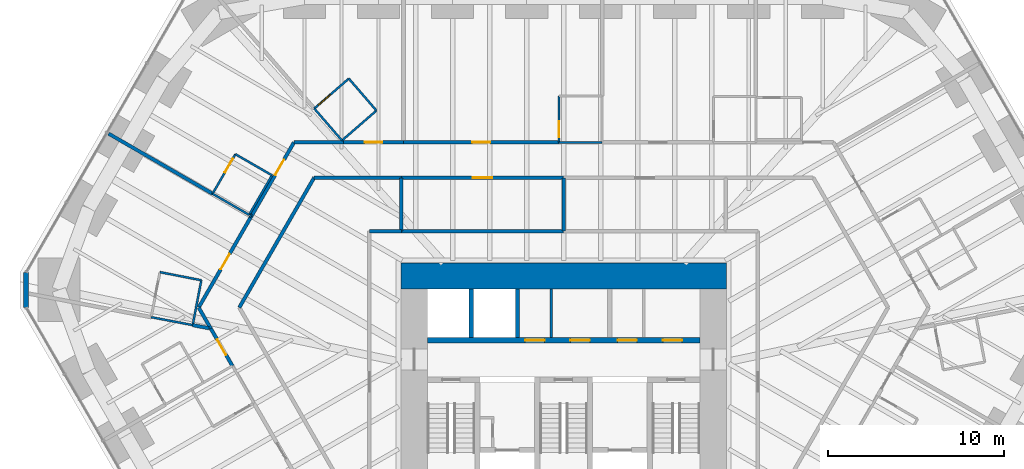
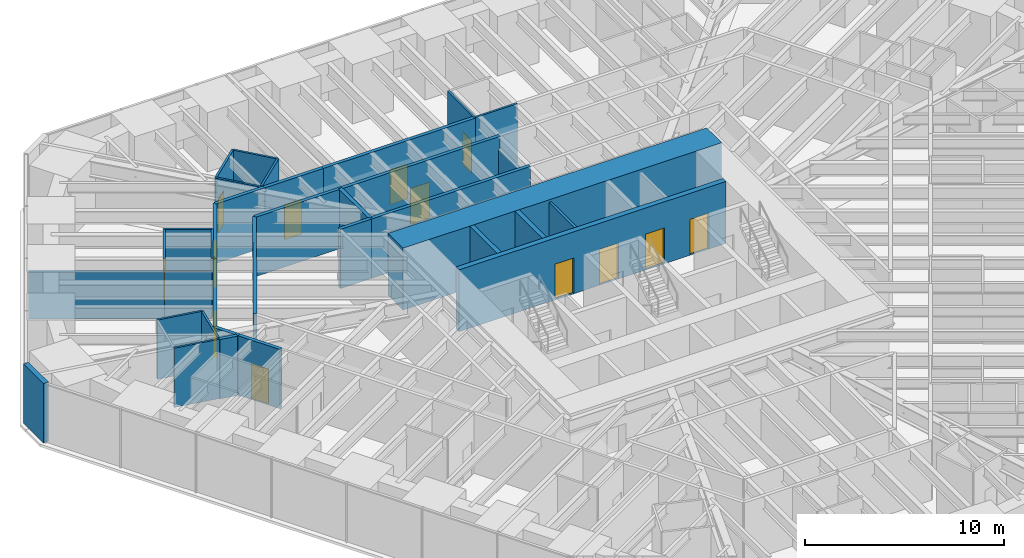
# One storey, part 14 of 17: 36 walls, 13 doors, 13 openings.
"""IFC4 building model written with IfcOpenShell, lengths in metres."""

import ifcopenshell
import ifcopenshell.guid

model = None  # the IFC model being written
_history = None  # IfcOwnerHistory: only IFC2X3 demands one
_inside = {}  # id of a spatial element -> (the spatial element, [elements in it])
_under = {}  # id of a project, library or spatial element -> (it, [spatial elements below it])
_declared = {}  # id of a project -> (the project, [libraries it declares])
_typed = {}  # id of a type object -> (the type object, [elements of that type])
_made_of = {}  # id of a material, layer set ... -> (it, [elements and type objects made of it])


def new_model(schema):
    """Start an empty IFC model of exactly this schema.

    Asked for "IFC4X3", IfcOpenShell would pick the latest addendum, in which some entities
    have other attributes; the version numbers below select the first issue.
    IFC2X3 requires an IfcOwnerHistory on every rooted entity: one is made here for all.
    """
    global model, _history
    if schema == "IFC4X3":
        model = ifcopenshell.file(schema_version=(4, 3, 0, 0))
    else:
        model = ifcopenshell.file(schema=schema)
    _inside.clear()
    _under.clear()
    _declared.clear()
    _typed.clear()
    _made_of.clear()
    _history = None
    if model.schema == "IFC2X3":
        org = make("IfcOrganization", Name="unknown")
        user = make(
            "IfcPersonAndOrganization",
            ThePerson=make("IfcPerson", FamilyName="unknown"),
            TheOrganization=org,
        )
        app = make(
            "IfcApplication",
            ApplicationDeveloper=org,
            Version="unknown",
            ApplicationFullName="unknown",
            ApplicationIdentifier="unknown",
        )
        _history = make(
            "IfcOwnerHistory",
            OwningUser=user,
            OwningApplication=app,
            ChangeAction="ADDED",
            CreationDate=0,
        )
    return model


def make(cls, **values):
    """One entity of the class cls with the attributes given. An attribute that is None is left unset."""
    return model.create_entity(
        cls, **{name: value for name, value in values.items() if value is not None}
    )


def rooted(cls, **values):
    """An entity with a GlobalId (a new one), such as an element, a storey or a relation."""
    return make(cls, GlobalId=ifcopenshell.guid.new(), OwnerHistory=_history, **values)


def si_unit(unit_type, name, prefix=None):
    """IfcSIUnit, for example si_unit("LENGTHUNIT", "METRE", prefix="MILLI")."""
    return make("IfcSIUnit", UnitType=unit_type, Prefix=prefix, Name=name)


def assignment(units):
    """IfcUnitAssignment: the units of a project."""
    return None if units is None else make("IfcUnitAssignment", Units=units)


def point(xyz):
    """IfcCartesianPoint."""
    return None if xyz is None else make("IfcCartesianPoint", Coordinates=xyz)


def direction(xyz):
    """IfcDirection."""
    return None if xyz is None else make("IfcDirection", DirectionRatios=xyz)


def frame(location, z_axis=None, x_axis=None):
    """IfcAxis2Placement3D, a coordinate frame: its origin and axes. An axis left out is left unset."""
    return make(
        "IfcAxis2Placement3D",
        Location=point(location),
        Axis=direction(z_axis),
        RefDirection=direction(x_axis),
    )


def frame_2d(location, x_axis=None):
    """IfcAxis2Placement2D, a coordinate frame in the plane: its origin and x axis."""
    return make(
        "IfcAxis2Placement2D", Location=point(location), RefDirection=direction(x_axis)
    )


def origin():
    """The frame at (0, 0, 0) with its axes left unset."""
    return frame((0.0, 0.0, 0.0))


def place(relative_to, where):
    """IfcLocalPlacement: puts the frame where relative to a parent placement (None: the world)."""
    return make(
        "IfcLocalPlacement", PlacementRelTo=relative_to, RelativePlacement=where
    )


def context(
    kind, dimensions, precision=None, world=None, true_north=None, identifier=None
):
    """IfcGeometricRepresentationContext, for example the 3D "Model" context."""
    return make(
        "IfcGeometricRepresentationContext",
        ContextIdentifier=identifier,
        ContextType=kind,
        CoordinateSpaceDimension=dimensions,
        Precision=precision,
        WorldCoordinateSystem=world,
        TrueNorth=true_north,
    )


def subcontext(parent, identifier, kind, view, scale=None):
    """IfcGeometricRepresentationSubContext, for example "Body" below "Model"."""
    return make(
        "IfcGeometricRepresentationSubContext",
        ContextIdentifier=identifier,
        ContextType=kind,
        ParentContext=parent,
        TargetScale=scale,
        TargetView=view,
    )


def project(units=None, contexts=None):
    """IfcProject with its units and contexts."""
    return rooted(
        "IfcProject",
        Name="project",
        RepresentationContexts=contexts,
        UnitsInContext=assignment(units),
    )


def spatial(cls, under=None, at=None, **own):
    """A site, building, storey or space (cls), placed at a placement, below another one or the project."""
    s = rooted(cls, ObjectPlacement=at, **own)
    if under is not None:
        _under.setdefault(under.id(), (under, []))[1].append(s)
    return s


def profile(cls, at=None, kind="AREA", **sizes):
    """A parametric profile (cls). Its sizes go by their IFC names, for example OverallWidth=200.0."""
    return make(cls, ProfileType=kind, Position=at, **sizes)


def rectangle(**sizes):
    """IfcRectangleProfileDef."""
    return profile("IfcRectangleProfileDef", **sizes)


def extrude(swept, where, along, depth):
    """IfcExtrudedAreaSolid: the profile swept, set in the frame where, extruded along a direction by depth."""
    return make(
        "IfcExtrudedAreaSolid",
        SweptArea=swept,
        Position=where,
        ExtrudedDirection=direction(along),
        Depth=depth,
    )


def shape(context_of_items, identifier, shape_type, items):
    """IfcShapeRepresentation: the items that make up one representation, for example the "Body"."""
    return make(
        "IfcShapeRepresentation",
        ContextOfItems=context_of_items,
        RepresentationIdentifier=identifier,
        RepresentationType=shape_type,
        Items=items,
    )


def material(Name=None, Category=None):
    """IfcMaterial."""
    return make("IfcMaterial", Name=Name, Category=Category)


def layer(
    of_material, thickness, ventilated=None, Name=None, Category=None, Priority=None
):
    """IfcMaterialLayer: one layer of a wall or slab, of a material (None: an air gap)."""
    return make(
        "IfcMaterialLayer",
        Material=of_material,
        LayerThickness=thickness,
        IsVentilated=ventilated,
        Name=Name,
        Category=Category,
        Priority=Priority,
    )


def layer_set(layers, Name=None):
    """IfcMaterialLayerSet."""
    return make("IfcMaterialLayerSet", MaterialLayers=layers, LayerSetName=Name)


def made_of(thing, what):
    """Note that an element or type object is made of a material, layer set ...; save() writes the relation."""
    if what is not None:
        _made_of.setdefault(what.id(), (what, []))[1].append(thing)
    return thing


def type_object(cls, material=None, **own):
    """A type object (cls), such as IfcWallType, which elements share."""
    return made_of(rooted(cls, **own), material)


def element(
    cls,
    number,
    at=None,
    inside=None,
    cuts=None,
    type_object=None,
    material=None,
    context=None,
    identifier="Body",
    shape_type=None,
    held_by="IfcProductDefinitionShape",
    body=None,
    shapes=None,
    **own,
):
    """One element of the class cls, such as IfcWall. Its Tag is "e" and its number.

    at: its placement. inside: the storey or other place that contains it. cuts: it is an
    opening in that element (IfcRelVoidsElement). A single representation is given by context,
    identifier, shape_type and body (its items); several are given by shapes. held_by: the class
    of the entity that holds the representations. save() writes the other relations.
    """
    e = rooted(cls, Tag="e%d" % number, ObjectPlacement=at, **own)
    if body is not None:
        shapes = [shape(context, identifier, shape_type, body)]
    if shapes is not None:
        e.Representation = make(held_by, Representations=shapes)
    if inside is not None:
        _inside.setdefault(inside.id(), (inside, []))[1].append(e)
    if cuts is not None:
        rooted(
            "IfcRelVoidsElement", RelatingBuildingElement=cuts, RelatedOpeningElement=e
        )
    if type_object is not None:
        _typed.setdefault(type_object.id(), (type_object, []))[1].append(e)
    return made_of(e, material)


def fill(opening, filler):
    """IfcRelFillsElement: the door or window that sits in an opening."""
    return rooted(
        "IfcRelFillsElement",
        RelatingOpeningElement=opening,
        RelatedBuildingElement=filler,
    )


def aggregate(whole, parts):
    """IfcRelAggregates: a whole, such as a stair, and the parts it consists of."""
    return rooted("IfcRelAggregates", RelatingObject=whole, RelatedObjects=parts)


def save(model, path):
    """Write the relations noted so far, then the file.

    IfcRelAggregates (storeys below a building ...), IfcRelContainedInSpatialStructure (elements
    in a storey), IfcRelDefinesByType, IfcRelAssociatesMaterial and IfcRelDeclares: one each for
    every whole, place, type object, material and project.
    """
    for whole, parts in _under.values():
        aggregate(whole, parts)
    for where, things in _inside.values():
        rooted(
            "IfcRelContainedInSpatialStructure",
            RelatedElements=things,
            RelatingStructure=where,
        )
    for kind, things in _typed.values():
        rooted("IfcRelDefinesByType", RelatedObjects=things, RelatingType=kind)
    for what, things in _made_of.values():
        rooted("IfcRelAssociatesMaterial", RelatedObjects=things, RelatingMaterial=what)
    for by, libraries in _declared.values():
        rooted("IfcRelDeclares", RelatingContext=by, RelatedDefinitions=libraries)
    model.write(path)


model = new_model("IFC4")

# Units and contexts
model_context = context("Model", 3, precision=1e-05, world=origin(), true_north=direction((0.0, 1.0)))
body_context = subcontext(model_context, "Body", "Model", "MODEL_VIEW")
ifc_project = project(units=[si_unit("LENGTHUNIT", "METRE"), si_unit("AREAUNIT", "SQUARE_METRE"), si_unit("VOLUMEUNIT", "CUBIC_METRE"), si_unit("PLANEANGLEUNIT", "RADIAN"), si_unit("MASSUNIT", "GRAM", prefix="KILO")], contexts=[model_context])

# Site, building, storey
site_placement = place(None, origin())
site = spatial("IfcSite", under=ifc_project, at=site_placement, CompositionType="ELEMENT")
building_placement = place(site_placement, origin())
building = spatial("IfcBuilding", under=site, at=building_placement, Name="Sandreach Pilgrim Tower", CompositionType="ELEMENT")
storey_placement = place(building_placement, frame((0.0, 0.0, 53.39990234375)))
storey = spatial("IfcBuildingStorey", under=building, at=storey_placement, Name="L12", CompositionType="ELEMENT", Elevation=53.39990234375)

# Walls
ifc_material_1 = material(Name="Gypsum board on steel studs", Category="steel")
ifc_layer_1 = layer(ifc_material_1, 0.14990234375)
ifc_layer_set_1 = layer_set([ifc_layer_1], Name="Back of house wall 150")
wall_type_1 = type_object("IfcWallType", Name="Back of house wall 150", PredefinedType="PARTITIONING", material=ifc_layer_set_1)
wall_1_placement = place(storey_placement, frame((-0.699951171875, 3.35009765625, 0.0), z_axis=(0.0, 0.0, 1.0), x_axis=(0.0, 1.0, 0.0)))
element("IfcWall", 1, at=wall_1_placement, inside=storey, type_object=wall_type_1, Name="Core room partition L12 1", PredefinedType="PARTITIONING", context=body_context, shape_type="SweptSolid", body=[
    extrude(rectangle(XDim=2.75, YDim=0.14990234375, at=frame_2d((1.375, 0.0))), origin(), (0.0, 0.0, 1.0), 3.64013671875),
])
ifc_material_2 = material(Name="Moisture-resistant gypsum board on steel studs", Category="steel")
ifc_layer_2 = layer(ifc_material_2, 0.1201171875)
ifc_layer_set_2 = layer_set([ifc_layer_2], Name="Bathroom partition 120")
wall_type_2 = type_object("IfcWallType", Name="Bathroom partition 120", PredefinedType="PARTITIONING", material=ifc_layer_set_2)
wall_2_placement = place(storey_placement, frame((-23.4599609375, 4.510009765625, 0.0), z_axis=(0.0, 0.0, 1.0), x_axis=(0.982228999139, -0.187686422658, 0.0)))
element("IfcWall", 2, at=wall_2_placement, inside=storey, type_object=wall_type_2, Name="Bathroom partition L12-005", PredefinedType="PARTITIONING", context=body_context, shape_type="SweptSolid", body=[
    extrude(rectangle(XDim=2.402587890625, YDim=0.1201171875, at=frame_2d((1.201171875, 0.0))), origin(), (0.0, 0.0, 1.0), 3.64013671875),
])
wall_3_placement = place(storey_placement, frame((-21.10009765625, 4.06005859375, 0.0), z_axis=(0.0, 0.0, 1.0), x_axis=(0.188697442844, 0.982035271802, 0.0)))
element("IfcWall", 3, at=wall_3_placement, inside=storey, type_object=wall_type_2, Name="Bathroom partition L12-013", PredefinedType="PARTITIONING", context=body_context, shape_type="SweptSolid", body=[
    extrude(rectangle(XDim=2.5966796875, YDim=0.1201171875, at=frame_2d((1.29833984375, 0.0))), origin(), (0.0, 0.0, 1.0), 3.64013671875),
])
wall_4_placement = place(storey_placement, frame((-20.610107421875, 6.610107421875, 0.0), z_axis=(0.0, 0.0, 1.0), x_axis=(-0.981376361672, 0.192094863937, 0.0)))
element("IfcWall", 4, at=wall_4_placement, inside=storey, type_object=wall_type_2, Name="Bathroom partition L12-016", PredefinedType="PARTITIONING", context=body_context, shape_type="SweptSolid", body=[
    extrude(rectangle(XDim=2.39453125, YDim=0.1201171875, at=frame_2d((1.197265625, 0.0))), origin(), (0.0, 0.0, 1.0), 3.64013671875),
])
wall_5_placement = place(storey_placement, frame((-19.969970703125, 11.530029296875, 0.0), z_axis=(0.0, 0.0, 1.0), x_axis=(0.866177122335, -0.499737123639, 0.0)))
element("IfcWall", 5, at=wall_5_placement, inside=storey, type_object=wall_type_2, Name="Bathroom partition L12-021", PredefinedType="PARTITIONING", context=body_context, shape_type="SweptSolid", body=[
    extrude(rectangle(XDim=2.401123046875, YDim=0.1201171875, at=frame_2d((1.20068359375, 0.0))), origin(), (0.0, 0.0, 1.0), 2.8603515625),
])

# Wall, opening, door
wall_6_placement = place(storey_placement, frame((-18.669921875, 13.780029296875, 0.0), z_axis=(0.0, 0.0, 1.0), x_axis=(-0.500291685314, -0.865856933682, 0.0)))
wall_6 = element("IfcWall", 6, at=wall_6_placement, inside=storey, type_object=wall_type_2, Name="Bathroom partition L12-024", PredefinedType="PARTITIONING", context=body_context, shape_type="SweptSolid", body=[
    extrude(rectangle(XDim=2.5986328125, YDim=0.1201171875, at=frame_2d((1.29931640625, 0.0))), origin(), (0.0, 0.0, 1.0), 3.64013671875),
])
opening_1_placement = place(wall_6_placement, frame((0.300048828125, 0.0, 0.0)))
opening_1 = element("IfcOpeningElement", 7, at=opening_1_placement, cuts=wall_6, Name="Opening D09-20B", PredefinedType="OPENING", context=body_context, shape_type="SweptSolid", body=[
    extrude(rectangle(XDim=0.89990234375, YDim=2.030029296875, at=frame_2d((0.449951171875, 1.01513671875))), frame((0.0, 0.06005859375, 0.0), z_axis=(0.0, -1.0, 0.0), x_axis=(1.0, 0.0, 0.0)), (0.0, 0.0, 1.0), 0.1201171875),
])
ifc_material_3 = material(Name="Timber door, steel frame", Category="steel")
door_type_1 = type_object("IfcDoorType", Name="Bathroom door", OperationType="SINGLE_SWING_LEFT", PredefinedType="DOOR", material=ifc_material_3)
door_1_placement = place(opening_1_placement, origin())
door_1 = element("IfcDoor", 8, at=door_1_placement, inside=storey, type_object=door_type_1, Name="Door 1220B", OperationType="SINGLE_SWING_LEFT", OverallHeight=2.030029296875, OverallWidth=0.89990234375, PredefinedType="DOOR", context=body_context, shape_type="SweptSolid", body=[
    extrude(rectangle(XDim=0.89990234375, YDim=2.030029296875, at=frame_2d((0.449951171875, 1.01513671875))), frame((0.0, 0.02490234375, 0.0), z_axis=(0.0, -1.0, 0.0), x_axis=(1.0, 0.0, 0.0)), (0.0, 0.0, 1.0), 0.050048828125),
])
fill(opening_1, door_1)

# Walls
wall_7_placement = place(storey_placement, frame((-17.889892578125, 10.330078125, 0.0), z_axis=(0.0, 0.0, 1.0), x_axis=(0.500221244143, 0.865897630733, 0.0)))
element("IfcWall", 9, at=wall_7_placement, inside=storey, type_object=wall_type_2, Name="Bathroom partition L12-026", PredefinedType="PARTITIONING", context=body_context, shape_type="SweptSolid", body=[
    extrude(rectangle(XDim=2.598388671875, YDim=0.1201171875, at=frame_2d((1.29931640625, 0.0))), origin(), (0.0, 0.0, 1.0), 3.64013671875),
])
wall_8_placement = place(storey_placement, frame((-16.590087890625, 12.580078125, 0.0), z_axis=(0.0, 0.0, 1.0), x_axis=(-0.866177122335, 0.499737123639, 0.0)))
element("IfcWall", 10, at=wall_8_placement, inside=storey, type_object=wall_type_2, Name="Bathroom partition L12-033", PredefinedType="PARTITIONING", context=body_context, shape_type="SweptSolid", body=[
    extrude(rectangle(XDim=2.401123046875, YDim=0.1201171875, at=frame_2d((1.20068359375, 0.0))), origin(), (0.0, 0.0, 1.0), 3.64013671875),
])
wall_9_placement = place(storey_placement, frame((-14.1845703125, 16.3759765625, 0.0), z_axis=(0.0, 0.0, 1.0), x_axis=(0.655147063502, -0.755501373384, 0.0)))
element("IfcWall", 11, at=wall_9_placement, inside=storey, type_object=wall_type_2, Name="Bathroom partition L12-038", PredefinedType="PARTITIONING", context=body_context, shape_type="SweptSolid", body=[
    extrude(rectangle(XDim=2.403564453125, YDim=0.1201171875, at=frame_2d((1.20166015625, 0.0))), origin(), (0.0, 0.0, 1.0), 3.64013671875),
])
wall_10_placement = place(storey_placement, frame((-12.610107421875, 14.56005859375, 0.0), z_axis=(0.0, 0.0, 1.0), x_axis=(0.755437535555, 0.655220672655, 0.0)))
element("IfcWall", 12, at=wall_10_placement, inside=storey, type_object=wall_type_2, Name="Bathroom partition L12-040", PredefinedType="PARTITIONING", context=body_context, shape_type="SweptSolid", body=[
    extrude(rectangle(XDim=2.594482421875, YDim=0.1201171875, at=frame_2d((1.29736328125, 0.0))), origin(), (0.0, 0.0, 1.0), 3.64013671875),
])

# Wall, opening, door
wall_11_placement = place(storey_placement, frame((-12.219970703125, 18.080078125, 0.0), z_axis=(0.0, 0.0, 1.0), x_axis=(-0.755437535555, -0.655220672655, 0.0)))
wall_11 = element("IfcWall", 13, at=wall_11_placement, inside=storey, type_object=wall_type_2, Name="Bathroom partition L12-044", PredefinedType="PARTITIONING", context=body_context, shape_type="SweptSolid", body=[
    extrude(rectangle(XDim=2.594482421875, YDim=0.1201171875, at=frame_2d((1.29736328125, 0.0))), origin(), (0.0, 0.0, 1.0), 3.64013671875),
])
opening_2_placement = place(wall_11_placement, frame((1.39453125, 0.0, 0.0)))
opening_2 = element("IfcOpeningElement", 14, at=opening_2_placement, cuts=wall_11, Name="Opening D09-01B", PredefinedType="OPENING", context=body_context, shape_type="SweptSolid", body=[
    extrude(rectangle(XDim=0.89990234375, YDim=2.030029296875, at=frame_2d((0.449951171875, 1.01513671875))), frame((0.0, 0.06005859375, 0.0), z_axis=(0.0, -1.0, 0.0), x_axis=(1.0, 0.0, 0.0)), (0.0, 0.0, 1.0), 0.1201171875),
])
door_2_placement = place(opening_2_placement, origin())
door_2 = element("IfcDoor", 15, at=door_2_placement, inside=storey, type_object=door_type_1, Name="Door 1201B", OperationType="SINGLE_SWING_RIGHT", OverallHeight=2.030029296875, OverallWidth=0.89990234375, PredefinedType="DOOR", context=body_context, shape_type="SweptSolid", body=[
    extrude(rectangle(XDim=0.89990234375, YDim=2.030029296875, at=frame_2d((0.449951171875, 1.01513671875))), frame((0.0, 0.02490234375, 0.0), z_axis=(0.0, -1.0, 0.0), x_axis=(1.0, 0.0, 0.0)), (0.0, 0.0, 1.0), 0.050048828125),
])
fill(opening_2, door_2)

# Wall
wall_12_placement = place(storey_placement, frame((-10.64990234375, 16.260009765625, 0.0), z_axis=(0.0, 0.0, 1.0), x_axis=(-0.653188728136, 0.757195143563, 0.0)))
element("IfcWall", 16, at=wall_12_placement, inside=storey, type_object=wall_type_2, Name="Bathroom partition L12-048", PredefinedType="PARTITIONING", context=body_context, shape_type="SweptSolid", body=[
    extrude(rectangle(XDim=2.40380859375, YDim=0.1201171875, at=frame_2d((1.201904296875, 0.0))), origin(), (0.0, 0.0, 1.0), 3.64013671875),
])

# Wall, opening, door
wall_13_placement = place(storey_placement, frame((-0.260009765625, 17.10009765625, 0.0), z_axis=(0.0, 0.0, 1.0), x_axis=(-0.00377703432, -0.99999286698, 0.0)))
wall_13 = element("IfcWall", 17, at=wall_13_placement, inside=storey, type_object=wall_type_2, Name="Bathroom partition L12-071", PredefinedType="PARTITIONING", context=body_context, shape_type="SweptSolid", body=[
    extrude(rectangle(XDim=2.650146484375, YDim=0.1201171875, at=frame_2d((1.3251953125, 0.0))), origin(), (0.0, 0.0, 1.0), 3.64013671875),
])
opening_3_placement = place(wall_13_placement, frame((1.449951171875, 0.0, 0.0)))
opening_3 = element("IfcOpeningElement", 18, at=opening_3_placement, cuts=wall_13, Name="Opening D09-02B", PredefinedType="OPENING", context=body_context, shape_type="SweptSolid", body=[
    extrude(rectangle(XDim=0.89990234375, YDim=2.030029296875, at=frame_2d((0.449951171875, 1.01513671875))), frame((0.0, 0.06005859375, 0.0), z_axis=(0.0, -1.0, 0.0), x_axis=(1.0, 0.0, 0.0)), (0.0, 0.0, 1.0), 0.1201171875),
])
door_3_placement = place(opening_3_placement, origin())
door_3 = element("IfcDoor", 19, at=door_3_placement, inside=storey, type_object=door_type_1, Name="Door 1202B", OperationType="SINGLE_SWING_RIGHT", OverallHeight=2.030029296875, OverallWidth=0.89990234375, PredefinedType="DOOR", context=body_context, shape_type="SweptSolid", body=[
    extrude(rectangle(XDim=0.89990234375, YDim=2.030029296875, at=frame_2d((0.449951171875, 1.01513671875))), frame((0.0, 0.02490234375, 0.0), z_axis=(0.0, -1.0, 0.0), x_axis=(1.0, 0.0, 0.0)), (0.0, 0.0, 1.0), 0.050048828125),
])
fill(opening_3, door_3)

# Wall
wall_14_placement = place(storey_placement, frame((2.18994140625, 14.449951171875, 0.0), z_axis=(0.0, 0.0, 1.0), x_axis=(-1.0, 0.0, 0.0)))
element("IfcWall", 20, at=wall_14_placement, inside=storey, type_object=wall_type_2, Name="Bathroom partition L12-084", PredefinedType="PARTITIONING", context=body_context, shape_type="SweptSolid", body=[
    extrude(rectangle(XDim=2.4599609375, YDim=0.1201171875, at=frame_2d((1.22998046875, 0.0))), origin(), (0.0, 0.0, 1.0), 3.64013671875),
])

# Wall, openings, doors
ifc_material_4 = material(Name="Concrete 10000 psi", Category="concrete")
ifc_layer_3 = layer(ifc_material_4, 0.300048828125)
ifc_layer_set_3 = layer_set([ifc_layer_3], Name="Core inner wall 300")
wall_type_3 = type_object("IfcWallType", Name="Core inner wall 300", PredefinedType="SHEAR", material=ifc_layer_set_3)
wall_15_placement = place(storey_placement, frame((-7.75, 3.199951171875, 0.0), z_axis=(0.0, 0.0, 1.0), x_axis=(1.0, 0.0, 0.0)))
wall_15 = element("IfcWall", 21, at=wall_15_placement, inside=storey, type_object=wall_type_3, Name="Core wall PN L12", PredefinedType="SHEAR", context=body_context, shape_type="SweptSolid", body=[
    extrude(rectangle(XDim=15.5, YDim=0.300048828125, at=frame_2d((7.75, 0.0))), origin(), (0.0, 0.0, 1.0), 3.800048828125),
])
opening_4_placement = place(wall_15_placement, frame((5.5625, 0.0, 0.0)))
opening_4 = element("IfcOpeningElement", 22, at=opening_4_placement, cuts=wall_15, Name="Opening D11L", PredefinedType="OPENING", context=body_context, shape_type="SweptSolid", body=[
    extrude(rectangle(XDim=1.10009765625, YDim=2.199951171875, at=frame_2d((0.550048828125, 1.10009765625))), frame((0.0, 0.14990234375, 0.0), z_axis=(0.0, -1.0, 0.0), x_axis=(1.0, 0.0, 0.0)), (0.0, 0.0, 1.0), 0.300048828125),
])
opening_5_placement = place(wall_15_placement, frame((8.137451171875, 0.0, 0.0)))
opening_5 = element("IfcOpeningElement", 23, at=opening_5_placement, cuts=wall_15, Name="Opening D11L", PredefinedType="OPENING", context=body_context, shape_type="SweptSolid", body=[
    extrude(rectangle(XDim=1.10009765625, YDim=2.199951171875, at=frame_2d((0.550048828125, 1.10009765625))), frame((0.0, 0.14990234375, 0.0), z_axis=(0.0, -1.0, 0.0), x_axis=(1.0, 0.0, 0.0)), (0.0, 0.0, 1.0), 0.300048828125),
])
opening_6_placement = place(wall_15_placement, frame((10.8125, 0.0, 0.0)))
opening_6 = element("IfcOpeningElement", 24, at=opening_6_placement, cuts=wall_15, Name="Opening D11L", PredefinedType="OPENING", context=body_context, shape_type="SweptSolid", body=[
    extrude(rectangle(XDim=1.10009765625, YDim=2.199951171875, at=frame_2d((0.550048828125, 1.10009765625))), frame((0.0, 0.14990234375, 0.0), z_axis=(0.0, -1.0, 0.0), x_axis=(1.0, 0.0, 0.0)), (0.0, 0.0, 1.0), 0.300048828125),
])
opening_7_placement = place(wall_15_placement, frame((13.387451171875, 0.0, 0.0)))
opening_7 = element("IfcOpeningElement", 25, at=opening_7_placement, cuts=wall_15, Name="Opening D11L", PredefinedType="OPENING", context=body_context, shape_type="SweptSolid", body=[
    extrude(rectangle(XDim=1.10009765625, YDim=2.199951171875, at=frame_2d((0.550048828125, 1.10009765625))), frame((0.0, 0.14990234375, 0.0), z_axis=(0.0, -1.0, 0.0), x_axis=(1.0, 0.0, 0.0)), (0.0, 0.0, 1.0), 0.300048828125),
])
ifc_material_5 = material(Name="Steel door and frame, smoke seals", Category="steel")
door_type_2 = type_object("IfcDoorType", Name="Core room door", OperationType="SINGLE_SWING_LEFT", PredefinedType="DOOR", material=ifc_material_5)
door_4_placement = place(opening_4_placement, origin())
door_4 = element("IfcDoor", 26, at=door_4_placement, inside=storey, type_object=door_type_2, Name="Door guest pantry 12K1", OperationType="SINGLE_SWING_LEFT", OverallHeight=2.199951171875, OverallWidth=1.10009765625, PredefinedType="DOOR", context=body_context, shape_type="SweptSolid", body=[
    extrude(rectangle(XDim=1.10009765625, YDim=2.199951171875, at=frame_2d((0.550048828125, 1.10009765625))), frame((0.0, 0.02490234375, 0.0), z_axis=(0.0, -1.0, 0.0), x_axis=(1.0, 0.0, 0.0)), (0.0, 0.0, 1.0), 0.050048828125),
])
fill(opening_4, door_4)
door_5_placement = place(opening_5_placement, origin())
door_5 = element("IfcDoor", 27, at=door_5_placement, inside=storey, type_object=door_type_2, Name="Door vending and ice room 12K2", OperationType="SINGLE_SWING_RIGHT", OverallHeight=2.199951171875, OverallWidth=1.10009765625, PredefinedType="DOOR", context=body_context, shape_type="SweptSolid", body=[
    extrude(rectangle(XDim=1.10009765625, YDim=2.199951171875, at=frame_2d((0.550048828125, 1.10009765625))), frame((0.0, 0.02490234375, 0.0), z_axis=(0.0, -1.0, 0.0), x_axis=(1.0, 0.0, 0.0)), (0.0, 0.0, 1.0), 0.050048828125),
])
fill(opening_5, door_5)
door_6_placement = place(opening_6_placement, origin())
door_6 = element("IfcDoor", 28, at=door_6_placement, inside=storey, type_object=door_type_2, Name="Door it room 12K3", OperationType="SINGLE_SWING_RIGHT", OverallHeight=2.199951171875, OverallWidth=1.10009765625, PredefinedType="DOOR", context=body_context, shape_type="SweptSolid", body=[
    extrude(rectangle(XDim=1.10009765625, YDim=2.199951171875, at=frame_2d((0.550048828125, 1.10009765625))), frame((0.0, 0.02490234375, 0.0), z_axis=(0.0, -1.0, 0.0), x_axis=(1.0, 0.0, 0.0)), (0.0, 0.0, 1.0), 0.050048828125),
])
fill(opening_6, door_6)
door_7_placement = place(opening_7_placement, origin())
door_7 = element("IfcDoor", 29, at=door_7_placement, inside=storey, type_object=door_type_2, Name="Door refuse room 12K4", OperationType="SINGLE_SWING_RIGHT", OverallHeight=2.199951171875, OverallWidth=1.10009765625, PredefinedType="DOOR", context=body_context, shape_type="SweptSolid", body=[
    extrude(rectangle(XDim=1.10009765625, YDim=2.199951171875, at=frame_2d((0.550048828125, 1.10009765625))), frame((0.0, 0.02490234375, 0.0), z_axis=(0.0, -1.0, 0.0), x_axis=(1.0, 0.0, 0.0)), (0.0, 0.0, 1.0), 0.050048828125),
])
fill(opening_7, door_7)

# Walls
ifc_material_6 = material(Name="Concrete 10000 psi", Category="concrete")
ifc_layer_4 = layer(ifc_material_6, 1.5)
ifc_layer_set_4 = layer_set([ifc_layer_4], Name="Core wall 1500")
wall_type_4 = type_object("IfcWallType", Name="Core wall 1500", PredefinedType="SHEAR", material=ifc_layer_set_4)
wall_16_placement = place(storey_placement, frame((-9.25, 6.85009765625, 0.0), z_axis=(0.0, 0.0, 1.0), x_axis=(1.0, 0.0, 0.0)))
element("IfcWall", 30, at=wall_16_placement, inside=storey, type_object=wall_type_4, Name="Core wall N L12", PredefinedType="SHEAR", context=body_context, shape_type="SweptSolid", body=[
    extrude(rectangle(XDim=18.5, YDim=1.5, at=frame_2d((9.25, 0.0))), origin(), (0.0, 0.0, 1.0), 3.800048828125),
])
ifc_material_7 = material(Name="Gypsum board on steel studs, two layers each side", Category="steel")
ifc_layer_5 = layer(ifc_material_7, 0.199951171875)
ifc_layer_set_5 = layer_set([ifc_layer_5], Name="Corridor wall 200")
wall_type_5 = type_object("IfcWallType", Name="Corridor wall 200", PredefinedType="PARTITIONING", material=ifc_layer_set_5)
wall_17_placement = place(storey_placement, frame((-20.760009765625, 5.06005859375, 0.0), z_axis=(0.0, 0.0, 1.0), x_axis=(0.49845455473, -0.866915830325, 0.0)))
element("IfcWall", 31, at=wall_17_placement, inside=storey, type_object=wall_type_5, Name="Corridor wall L12-014", PredefinedType="PARTITIONING", context=body_context, shape_type="SweptSolid", body=[
    extrude(rectangle(XDim=1.38427734375, YDim=0.199951171875, at=frame_2d((0.692138671875, 0.0))), origin(), (0.0, 0.0, 1.0), 3.64013671875),
])

# Wall, opening, door
wall_18_placement = place(storey_placement, frame((-20.74755859375, 5.08154296875, 0.0), z_axis=(0.0, 0.0, 1.0), x_axis=(0.499925128535, 0.86606862653, 0.0)))
wall_18 = element("IfcWall", 32, at=wall_18_placement, inside=storey, type_object=wall_type_5, Name="Corridor wall L12-015", PredefinedType="PARTITIONING", context=body_context, shape_type="SweptSolid", body=[
    extrude(rectangle(XDim=5.978515625, YDim=0.199951171875, at=frame_2d((2.9892578125, 0.0))), origin(), (0.0, 0.0, 1.0), 3.64013671875),
])
opening_8_placement = place(wall_18_placement, frame((2.489013671875, 0.0, 0.0)))
opening_8 = element("IfcOpeningElement", 33, at=opening_8_placement, cuts=wall_18, Name="Opening D10-19", PredefinedType="OPENING", context=body_context, shape_type="SweptSolid", body=[
    extrude(rectangle(XDim=1.0, YDim=2.1298828125, at=frame_2d((0.5, 1.06494140625))), frame((0.0, 0.10009765625, 0.0), z_axis=(0.0, -1.0, 0.0), x_axis=(1.0, 0.0, 0.0)), (0.0, 0.0, 1.0), 0.199951171875),
])
ifc_material_8 = material(Name="Steel door and frame", Category="steel")
door_type_3 = type_object("IfcDoorType", Name="Guest room entry door", OperationType="SINGLE_SWING_LEFT", PredefinedType="DOOR", material=ifc_material_8)
door_8_placement = place(opening_8_placement, origin())
door_8 = element("IfcDoor", 34, at=door_8_placement, inside=storey, type_object=door_type_3, Name="Door 1219", OperationType="SINGLE_SWING_LEFT", OverallHeight=2.1298828125, OverallWidth=1.0, PredefinedType="DOOR", context=body_context, shape_type="SweptSolid", body=[
    extrude(rectangle(XDim=1.0, YDim=2.1298828125, at=frame_2d((0.5, 1.06494140625))), frame((0.0, 0.02490234375, 0.0), z_axis=(0.0, -1.0, 0.0), x_axis=(1.0, 0.0, 0.0)), (0.0, 0.0, 1.0), 0.050048828125),
])
fill(opening_8, door_8)

wall_19_placement = place(storey_placement, frame((-20.06982421875, 3.860107421875, 0.0), z_axis=(0.0, 0.0, 1.0), x_axis=(0.501738959866, -0.865019084271, 0.0)))
wall_19 = element("IfcWall", 35, at=wall_19_placement, inside=storey, type_object=wall_type_5, Name="Corridor wall L12-020", PredefinedType="PARTITIONING", context=body_context, shape_type="SweptSolid", body=[
    extrude(rectangle(XDim=2.450927734375, YDim=0.199951171875, at=frame_2d((1.2255859375, 0.0))), origin(), (0.0, 0.0, 1.0), 3.64013671875),
])
opening_9_placement = place(wall_19_placement, frame((0.7255859375, 0.0, 0.0)))
opening_9 = element("IfcOpeningElement", 36, at=opening_9_placement, cuts=wall_19, Name="Opening D10-18", PredefinedType="OPENING", context=body_context, shape_type="SweptSolid", body=[
    extrude(rectangle(XDim=1.0, YDim=2.1298828125, at=frame_2d((0.5, 1.06494140625))), frame((0.0, 0.10009765625, 0.0), z_axis=(0.0, -1.0, 0.0), x_axis=(1.0, 0.0, 0.0)), (0.0, 0.0, 1.0), 0.199951171875),
])
door_9_placement = place(opening_9_placement, origin())
door_9 = element("IfcDoor", 37, at=door_9_placement, inside=storey, type_object=door_type_3, Name="Door 1218", OperationType="SINGLE_SWING_LEFT", OverallHeight=2.1298828125, OverallWidth=1.0, PredefinedType="DOOR", context=body_context, shape_type="SweptSolid", body=[
    extrude(rectangle(XDim=1.0, YDim=2.1298828125, at=frame_2d((0.5, 1.06494140625))), frame((0.0, 0.02490234375, 0.0), z_axis=(0.0, -1.0, 0.0), x_axis=(1.0, 0.0, 0.0)), (0.0, 0.0, 1.0), 0.050048828125),
])
fill(opening_9, door_9)

# Wall
wall_20_placement = place(storey_placement, frame((-18.449951171875, 5.06005859375, 0.0), z_axis=(0.0, 0.0, 1.0), x_axis=(0.499424260127, 0.866357552282, 0.0)))
element("IfcWall", 38, at=wall_20_placement, inside=storey, type_object=wall_type_5, Name="Corridor wall L12-025", PredefinedType="PARTITIONING", context=body_context, shape_type="SweptSolid", body=[
    extrude(rectangle(XDim=8.52978515625, YDim=0.199951171875, at=frame_2d((4.264892578125, 0.0))), origin(), (0.0, 0.0, 1.0), 3.64013671875),
])

# Wall, opening, door
wall_21_placement = place(storey_placement, frame((-17.7587890625, 10.25927734375, 0.0), z_axis=(0.0, 0.0, 1.0), x_axis=(0.499878240725, 0.866095690123, 0.0)))
wall_21 = element("IfcWall", 39, at=wall_21_placement, inside=storey, type_object=wall_type_5, Name="Corridor wall L12-028", PredefinedType="PARTITIONING", context=body_context, shape_type="SweptSolid", body=[
    extrude(rectangle(XDim=4.838623046875, YDim=0.199951171875, at=frame_2d((2.41943359375, 0.0))), origin(), (0.0, 0.0, 1.0), 3.64013671875),
])
opening_10_placement = place(wall_21_placement, frame((2.699951171875, 0.0, 0.0)))
opening_10 = element("IfcOpeningElement", 40, at=opening_10_placement, cuts=wall_21, Name="Opening D10-20", PredefinedType="OPENING", context=body_context, shape_type="SweptSolid", body=[
    extrude(rectangle(XDim=1.0, YDim=2.1298828125, at=frame_2d((0.5, 1.06494140625))), frame((0.0, 0.10009765625, 0.0), z_axis=(0.0, -1.0, 0.0), x_axis=(1.0, 0.0, 0.0)), (0.0, 0.0, 1.0), 0.199951171875),
])
door_10_placement = place(opening_10_placement, origin())
door_10 = element("IfcDoor", 41, at=door_10_placement, inside=storey, type_object=door_type_3, Name="Door 1220", OperationType="SINGLE_SWING_RIGHT", OverallHeight=2.1298828125, OverallWidth=1.0, PredefinedType="DOOR", context=body_context, shape_type="SweptSolid", body=[
    extrude(rectangle(XDim=1.0, YDim=2.1298828125, at=frame_2d((0.5, 1.06494140625))), frame((0.0, 0.02490234375, 0.0), z_axis=(0.0, -1.0, 0.0), x_axis=(1.0, 0.0, 0.0)), (0.0, 0.0, 1.0), 0.050048828125),
])
fill(opening_10, door_10)

# Walls
wall_22_placement = place(storey_placement, frame((-14.18994140625, 12.449951171875, 0.0), z_axis=(0.0, 0.0, 1.0), x_axis=(1.0, 0.0, 0.0)))
element("IfcWall", 42, at=wall_22_placement, inside=storey, type_object=wall_type_5, Name="Corridor wall L12-037", PredefinedType="PARTITIONING", context=body_context, shape_type="SweptSolid", body=[
    extrude(rectangle(XDim=4.9599609375, YDim=0.199951171875, at=frame_2d((2.47998046875, 0.0))), origin(), (0.0, 0.0, 1.0), 3.64013671875),
])
wall_23_placement = place(storey_placement, frame((-12.510009765625, 14.449951171875, 0.0), z_axis=(0.0, 0.0, 1.0), x_axis=(-1.0, 0.0, 0.0)))
element("IfcWall", 43, at=wall_23_placement, inside=storey, type_object=wall_type_5, Name="Corridor wall L12-041", PredefinedType="PARTITIONING", context=body_context, shape_type="SweptSolid", body=[
    extrude(rectangle(XDim=2.830078125, YDim=0.199951171875, at=frame_2d((1.4150390625, 0.0))), origin(), (0.0, 0.0, 1.0), 3.64013671875),
])
wall_24_placement = place(storey_placement, frame((-9.22998046875, 9.39990234375, 0.0), z_axis=(0.0, 0.0, 1.0), x_axis=(-1.0, 0.0, 0.0)))
element("IfcWall", 44, at=wall_24_placement, inside=storey, type_object=wall_type_5, Name="Corridor wall L12-053", PredefinedType="PARTITIONING", context=body_context, shape_type="SweptSolid", body=[
    extrude(rectangle(XDim=1.81005859375, YDim=0.199951171875, at=frame_2d((0.905029296875, 0.0))), origin(), (0.0, 0.0, 1.0), 3.64013671875),
])

# Wall, opening, door
wall_25_placement = place(storey_placement, frame((-9.22998046875, 12.449951171875, 0.0), z_axis=(0.0, 0.0, 1.0), x_axis=(1.0, 0.0, 0.0)))
wall_25 = element("IfcWall", 45, at=wall_25_placement, inside=storey, type_object=wall_type_5, Name="Corridor wall L12-055", PredefinedType="PARTITIONING", context=body_context, shape_type="SweptSolid", body=[
    extrude(rectangle(XDim=9.22998046875, YDim=0.199951171875, at=frame_2d((4.614990234375, 0.0))), origin(), (0.0, 0.0, 1.0), 3.64013671875),
])
opening_11_placement = place(wall_25_placement, frame((4.06494140625, 0.0, 0.0)))
opening_11 = element("IfcOpeningElement", 46, at=opening_11_placement, cuts=wall_25, Name="Opening D11H-M02", PredefinedType="OPENING", context=body_context, shape_type="SweptSolid", body=[
    extrude(rectangle(XDim=1.10009765625, YDim=2.199951171875, at=frame_2d((0.550048828125, 1.10009765625))), frame((0.0, 0.10009765625, 0.0), z_axis=(0.0, -1.0, 0.0), x_axis=(1.0, 0.0, 0.0)), (0.0, 0.0, 1.0), 0.199951171875),
])
ifc_material_9 = material(Name="Steel door and frame", Category="steel")
door_type_4 = type_object("IfcDoorType", Name="Back of house door", OperationType="SINGLE_SWING_LEFT", PredefinedType="DOOR", material=ifc_material_9)
door_11_placement = place(opening_11_placement, origin())
door_11 = element("IfcDoor", 47, at=door_11_placement, inside=storey, type_object=door_type_4, Name="Door 12M02", OperationType="SINGLE_SWING_LEFT", OverallHeight=2.199951171875, OverallWidth=1.10009765625, PredefinedType="DOOR", context=body_context, shape_type="SweptSolid", body=[
    extrude(rectangle(XDim=1.10009765625, YDim=2.199951171875, at=frame_2d((0.550048828125, 1.10009765625))), frame((0.0, 0.02490234375, 0.0), z_axis=(0.0, -1.0, 0.0), x_axis=(1.0, 0.0, 0.0)), (0.0, 0.0, 1.0), 0.050048828125),
])
fill(opening_11, door_11)

wall_26_placement = place(storey_placement, frame((-9.110107421875, 14.449951171875, 0.0), z_axis=(0.0, 0.0, 1.0), x_axis=(-1.0, 0.0, 0.0)))
wall_26 = element("IfcWall", 48, at=wall_26_placement, inside=storey, type_object=wall_type_5, Name="Corridor wall L12-056", PredefinedType="PARTITIONING", context=body_context, shape_type="SweptSolid", body=[
    extrude(rectangle(XDim=3.39990234375, YDim=0.199951171875, at=frame_2d((1.699951171875, 0.0))), origin(), (0.0, 0.0, 1.0), 3.64013671875),
])
opening_12_placement = place(wall_26_placement, frame((1.199951171875, 0.0, 0.0)))
opening_12 = element("IfcOpeningElement", 49, at=opening_12_placement, cuts=wall_26, Name="Opening D10-01", PredefinedType="OPENING", context=body_context, shape_type="SweptSolid", body=[
    extrude(rectangle(XDim=1.0, YDim=2.1298828125, at=frame_2d((0.5, 1.06494140625))), frame((0.0, 0.10009765625, 0.0), z_axis=(0.0, -1.0, 0.0), x_axis=(1.0, 0.0, 0.0)), (0.0, 0.0, 1.0), 0.199951171875),
])
door_12_placement = place(opening_12_placement, origin())
door_12 = element("IfcDoor", 50, at=door_12_placement, inside=storey, type_object=door_type_3, Name="Door 1201", OperationType="SINGLE_SWING_LEFT", OverallHeight=2.1298828125, OverallWidth=1.0, PredefinedType="DOOR", context=body_context, shape_type="SweptSolid", body=[
    extrude(rectangle(XDim=1.0, YDim=2.1298828125, at=frame_2d((0.5, 1.06494140625))), frame((0.0, 0.02490234375, 0.0), z_axis=(0.0, -1.0, 0.0), x_axis=(1.0, 0.0, 0.0)), (0.0, 0.0, 1.0), 0.050048828125),
])
fill(opening_12, door_12)

wall_27_placement = place(storey_placement, frame((-0.27001953125, 14.449951171875, 0.0), z_axis=(0.0, 0.0, 1.0), x_axis=(-1.0, 0.0, 0.0)))
wall_27 = element("IfcWall", 51, at=wall_27_placement, inside=storey, type_object=wall_type_5, Name="Corridor wall L12-070", PredefinedType="PARTITIONING", context=body_context, shape_type="SweptSolid", body=[
    extrude(rectangle(XDim=8.840087890625, YDim=0.199951171875, at=frame_2d((4.419921875, 0.0))), origin(), (0.0, 0.0, 1.0), 3.64013671875),
])
opening_13_placement = place(wall_27_placement, frame((3.919921875, 0.0, 0.0)))
opening_13 = element("IfcOpeningElement", 52, at=opening_13_placement, cuts=wall_27, Name="Opening D10-02", PredefinedType="OPENING", context=body_context, shape_type="SweptSolid", body=[
    extrude(rectangle(XDim=1.0, YDim=2.1298828125, at=frame_2d((0.5, 1.06494140625))), frame((0.0, 0.10009765625, 0.0), z_axis=(0.0, -1.0, 0.0), x_axis=(1.0, 0.0, 0.0)), (0.0, 0.0, 1.0), 0.199951171875),
])
door_13_placement = place(opening_13_placement, origin())
door_13 = element("IfcDoor", 53, at=door_13_placement, inside=storey, type_object=door_type_3, Name="Door 1202", OperationType="SINGLE_SWING_LEFT", OverallHeight=2.1298828125, OverallWidth=1.0, PredefinedType="DOOR", context=body_context, shape_type="SweptSolid", body=[
    extrude(rectangle(XDim=1.0, YDim=2.1298828125, at=frame_2d((0.5, 1.06494140625))), frame((0.0, 0.02490234375, 0.0), z_axis=(0.0, -1.0, 0.0), x_axis=(1.0, 0.0, 0.0)), (0.0, 0.0, 1.0), 0.050048828125),
])
fill(opening_13, door_13)

# Walls
wall_28_placement = place(storey_placement, frame((0.0, 9.39990234375, 0.0), z_axis=(0.0, 0.0, 1.0), x_axis=(-1.0, 0.0, 0.0)))
element("IfcWall", 54, at=wall_28_placement, inside=storey, type_object=wall_type_5, Name="Corridor wall L12-079", PredefinedType="PARTITIONING", context=body_context, shape_type="SweptSolid", body=[
    extrude(rectangle(XDim=9.22998046875, YDim=0.199951171875, at=frame_2d((4.614990234375, 0.0))), origin(), (0.0, 0.0, 1.0), 3.64013671875),
])
ifc_material_10 = material(Name="Double steel stud acoustic wall, gypsum board", Category="steel")
ifc_layer_6 = layer(ifc_material_10, 0.199951171875)
ifc_layer_set_6 = layer_set([ifc_layer_6], Name="Party wall 200")
wall_type_6 = type_object("IfcWallType", Name="Party wall 200", PredefinedType="PARTITIONING", material=ifc_layer_set_6)
wall_29_placement = place(storey_placement, frame((-25.88623046875, 14.949951171875, 0.0), z_axis=(0.0, 0.0, 1.0), x_axis=(0.865761194987, -0.500457344092, 0.0)))
element("IfcWall", 55, at=wall_29_placement, inside=storey, type_object=wall_type_6, Name="Party wall L12-003", PredefinedType="PARTITIONING", context=body_context, shape_type="SweptSolid", body=[
    extrude(rectangle(XDim=6.83349609375, YDim=0.199951171875, at=frame_2d((3.416748046875, 0.0))), origin(), (0.0, 0.0, 1.0), 2.8603515625),
])
wall_30_placement = place(storey_placement, frame((-21.10009765625, 4.05908203125, 0.0), z_axis=(0.0, 0.0, 1.0), x_axis=(0.981823396721, -0.189796779877, 0.0)))
element("IfcWall", 56, at=wall_30_placement, inside=storey, type_object=wall_type_6, Name="Party wall L12-012", PredefinedType="PARTITIONING", context=body_context, shape_type="SweptSolid", body=[
    extrude(rectangle(XDim=0.944091796875, YDim=0.199951171875, at=frame_2d((0.47216796875, 0.0))), origin(), (0.0, 0.0, 1.0), 3.64013671875),
])
wall_31_placement = place(storey_placement, frame((-17.837158203125, 10.301513671875, 0.0), z_axis=(0.0, 0.0, 1.0), x_axis=(0.880650010303, -0.473767410606, 0.0)))
element("IfcWall", 57, at=wall_31_placement, inside=storey, type_object=wall_type_6, Name="Party wall L12-027", PredefinedType="PARTITIONING", context=body_context, shape_type="SweptSolid", body=[
    extrude(rectangle(XDim=0.087646484375, YDim=0.199951171875, at=frame_2d((0.0439453125, 0.0))), origin(), (0.0, 0.0, 1.0), 3.64013671875),
])
wall_32_placement = place(storey_placement, frame((-9.22998046875, 12.43994140625, 0.0), z_axis=(0.0, 0.0, 1.0), x_axis=(0.0, -1.0, 0.0)))
element("IfcWall", 58, at=wall_32_placement, inside=storey, type_object=wall_type_6, Name="Party wall L12-054", PredefinedType="PARTITIONING", context=body_context, shape_type="SweptSolid", body=[
    extrude(rectangle(XDim=3.02490234375, YDim=0.199951171875, at=frame_2d((1.512451171875, 0.0))), origin(), (0.0, 0.0, 1.0), 3.64013671875),
])
wall_33_placement = place(storey_placement, frame((0.0, 12.43994140625, 0.0), z_axis=(0.0, 0.0, 1.0), x_axis=(0.0, -1.0, 0.0)))
element("IfcWall", 59, at=wall_33_placement, inside=storey, type_object=wall_type_6, Name="Party wall L12-080", PredefinedType="PARTITIONING", context=body_context, shape_type="SweptSolid", body=[
    extrude(rectangle(XDim=3.02490234375, YDim=0.199951171875, at=frame_2d((1.512451171875, 0.0))), origin(), (0.0, 0.0, 1.0), 2.878173828125),
])
ifc_material_11 = material(Name="Gypsum shaft wall on steel studs, two layers of shaft liner board", Category="steel")
ifc_layer_7 = layer(ifc_material_11, 0.25)
ifc_layer_set_7 = layer_set([ifc_layer_7], Name="Shaft partition 250")
wall_type_7 = type_object("IfcWallType", Name="Shaft partition 250", PredefinedType="PARTITIONING", material=ifc_layer_set_7)
for number, where, z_axis, x_axis, name in (
    (60, (-5.25, 3.35009765625, 0.0), (0.0, 0.0, 1.0), (0.0, 1.0, 0.0), "Shaft partition NS0 L12"),
    (61, (-2.625, 3.35009765625, 0.0), (0.0, 0.0, 1.0), (0.0, 1.0, 0.0), "Shaft partition NS1 L12"),
):
    element("IfcWall", number, at=place(storey_placement, frame(where, z_axis=z_axis, x_axis=x_axis)), inside=storey, type_object=wall_type_7, Name=name, PredefinedType="PARTITIONING", context=body_context, shape_type="SweptSolid", body=[
        extrude(rectangle(XDim=2.75, YDim=0.25, at=frame_2d((1.375, 0.0))), origin(), (0.0, 0.0, 1.0), 3.800048828125),
    ])
ifc_material_12 = material(Name="Terracotta rainscreen on concrete", Category="masonry")
ifc_layer_8 = layer(ifc_material_12, 0.300048828125)
ifc_layer_set_8 = layer_set([ifc_layer_8], Name="Terracotta chamfer pier")
wall_type_8 = type_object("IfcWallType", Name="Terracotta chamfer pier", PredefinedType="SOLIDWALL", material=ifc_layer_set_8)
wall_34_placement = place(storey_placement, frame((-30.576171875, 5.062255859375, 0.0), z_axis=(0.0, 0.0, 1.0), x_axis=(0.0, 1.0, 0.0)))
element("IfcWall", 62, at=wall_34_placement, inside=storey, type_object=wall_type_8, Name="Chamfer pier L12 SW", PredefinedType="SOLIDWALL", context=body_context, shape_type="SweptSolid", body=[
    extrude(rectangle(XDim=2.0, YDim=0.300048828125, at=frame_2d((1.0, 0.0))), origin(), (0.0, 0.0, 1.0), 3.64013671875),
])

save(model, "model.ifc")
